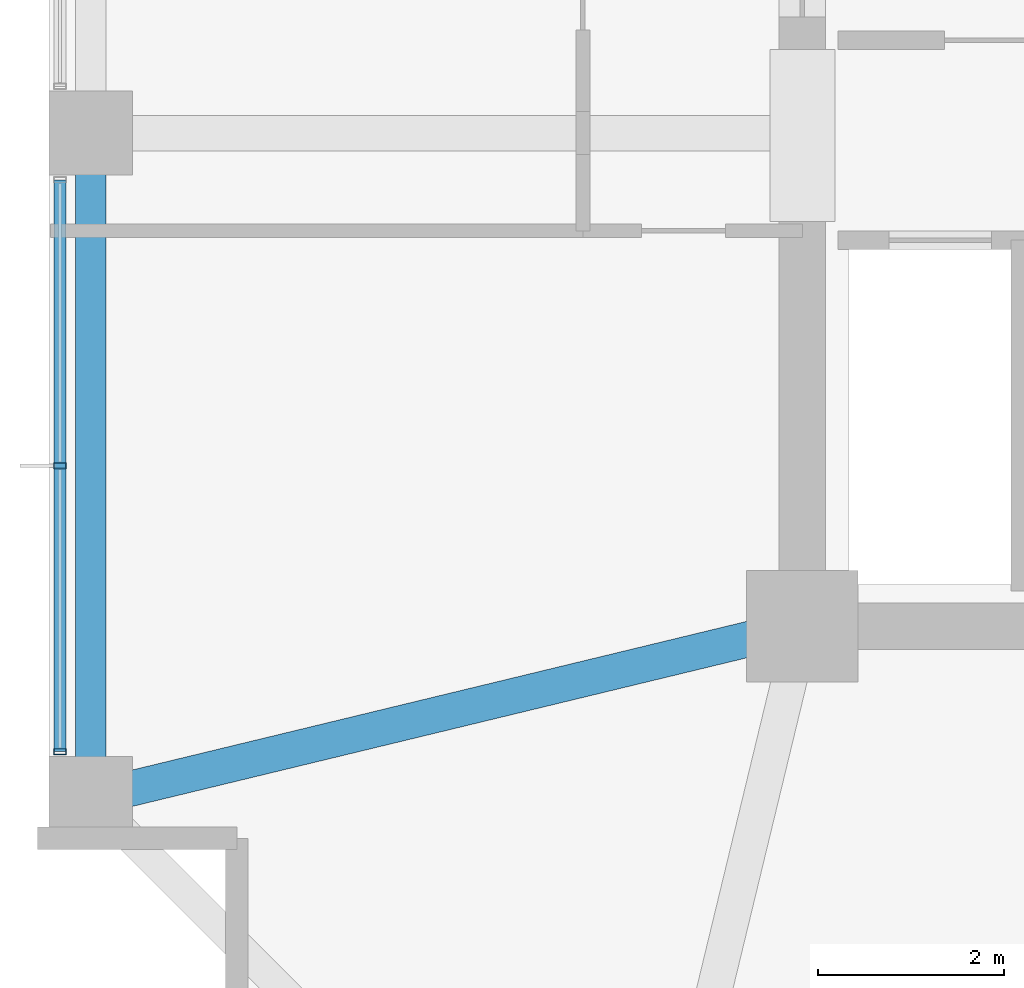
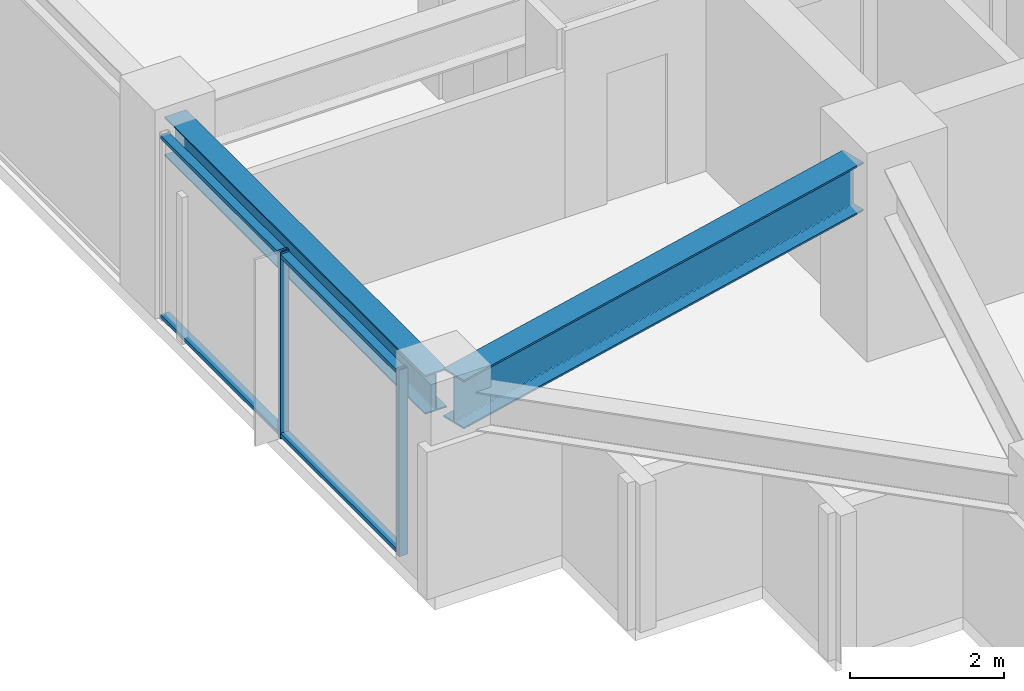
# One storey, part 4 of 31: 4 members, 2 beams, 1 element without a shape of its own.
"""IFC4 building model written with IfcOpenShell, lengths in metres."""

from ifc_helpers import new_model, si_unit, direction, frame, origin, origin_2d, place, context, subcontext, project, spatial, hollow_rectangle, i_section, extrude, material, material_profile, profile_set, type_object, element, aggregate, save


model = new_model("IFC4")

# Units and contexts
model_context = context("Model", 3, precision=1e-05, world=origin(), true_north=direction((0.0, 1.0)))
body_context = subcontext(model_context, "Body", "Model", "MODEL_VIEW")
ifc_project = project(units=[si_unit("LENGTHUNIT", "METRE"), si_unit("AREAUNIT", "SQUARE_METRE"), si_unit("VOLUMEUNIT", "CUBIC_METRE"), si_unit("PLANEANGLEUNIT", "RADIAN"), si_unit("MASSUNIT", "GRAM", prefix="KILO")], contexts=[model_context])

# Site, building, storey
site_placement = place(None, origin())
site = spatial("IfcSite", under=ifc_project, at=site_placement, CompositionType="ELEMENT")
building_placement = place(site_placement, origin())
building = spatial("IfcBuilding", under=site, at=building_placement, Name="Kolvaren Belvedere", CompositionType="ELEMENT")
storey_placement = place(building_placement, frame((0.0, 0.0, 144.800048828125)))
storey = spatial("IfcBuildingStorey", under=building, at=storey_placement, Name="L42", CompositionType="ELEMENT", Elevation=144.800048828125)

# Beams
ifc_material_1 = material(Name="Structural steel ASTM A992 Grade 50", Category="steel")
ifc_material_profile_1 = material_profile(ifc_material_1, i_section(OverallWidth=0.381103515625, OverallDepth=0.77294921875, WebThickness=0.0166015625, FlangeThickness=0.027099609375, FilletRadius=0.02392578125, at=origin_2d()), Name="W30X173")
ifc_profile_set_1 = profile_set([ifc_material_profile_1], Name="Structural steel ASTM A992 Grade 50")
beam_type_1 = type_object("IfcBeamType", Name="BM-GIRD-W30X173", PredefinedType="BEAM", material=ifc_profile_set_1)
beam_1_placement = place(storey_placement, frame((-10.4345703125, -10.029296875, 2.5634765625), z_axis=(-0.971980197119, -0.235062749937, 0.0), x_axis=(0.235062749937, -0.971980197119, 0.0)))
element("IfcBeam", 1, at=beam_1_placement, inside=storey, type_object=beam_type_1, Name="L42 Corner Core-to-Perimeter Girder CC1-W1", PredefinedType="BEAM", context=body_context, shape_type="SweptSolid", body=[
    extrude(i_section(OverallWidth=0.381103515625, OverallDepth=0.77294921875, WebThickness=0.0166015625, FlangeThickness=0.027099609375, FilletRadius=0.02392578125, at=origin_2d()), origin(), (0.0, 0.0, 1.0), 7.140625),
])
ifc_material_2 = material(Name="Structural steel ASTM A992 Grade 50", Category="steel")
ifc_material_profile_2 = material_profile(ifc_material_2, i_section(OverallWidth=0.324951171875, OverallDepth=0.615966796875, WebThickness=0.013916015625, FlangeThickness=0.021484375, FilletRadius=0.02001953125, at=origin_2d()), Name="W24X117")
ifc_profile_set_2 = profile_set([ifc_material_profile_2], Name="Structural steel ASTM A992 Grade 50")
beam_type_2 = type_object("IfcBeamType", Name="BM-SPAN-W24X117", PredefinedType="SPANDREL", material=ifc_profile_set_2)
beam_2_placement = place(storey_placement, frame((-17.550048828125, -4.802490234375, 2.641845703125), z_axis=(0.0, -1.0, 0.0), x_axis=(1.0, 0.0, 0.0)))
element("IfcBeam", 2, at=beam_2_placement, inside=storey, type_object=beam_type_2, Name="L42 Perimeter Spandrel W2-W1", PredefinedType="SPANDREL", context=body_context, shape_type="SweptSolid", body=[
    extrude(i_section(OverallWidth=0.324951171875, OverallDepth=0.615966796875, WebThickness=0.013916015625, FlangeThickness=0.021484375, FilletRadius=0.02001953125, at=origin_2d()), origin(), (0.0, 0.0, 1.0), 6.7451171875),
])

# Curtain wall, members
ifc_material_3 = material(Name="Anodised pale-metal aluminium AA 6063-T6", Category="aluminium")
curtain_wall_type = type_object("IfcCurtainWallType", Name="CW-Z3-WAIST", PredefinedType="NOTDEFINED", material=ifc_material_3)
curtain_wall_placement = place(storey_placement, origin())
curtain_wall = element("IfcCurtainWall", 3, at=curtain_wall_placement, inside=storey, type_object=curtain_wall_type, Name="L42 Unitised Curtain Wall FCW-L42-W-B1", PredefinedType="NOTDEFINED")
ifc_material_4 = material(Name="Anodised pale-metal aluminium AA 6063-T6", Category="aluminium")
ifc_material_profile_3 = material_profile(ifc_material_4, hollow_rectangle(XDim=0.06494140625, YDim=0.1298828125, WallThickness=0.00390625, at=origin_2d()), Name="ALU-MUL-130X65")
ifc_profile_set_3 = profile_set([ifc_material_profile_3], Name="Anodised pale-metal aluminium AA 6063-T6")
member_type_1 = type_object("IfcMemberType", Name="CW-MUL-130", PredefinedType="MULLION", material=ifc_profile_set_3)
member_1_placement = place(storey_placement, frame((-17.8798828125, -11.24755859375, 0.0), z_axis=(0.0, 0.0, 1.0), x_axis=(0.0, 1.0, 0.0)))
member_1 = element("IfcMember", 4, at=member_1_placement, type_object=member_type_1, Name="FCW-L42-W-B1 Unitised Mullion 1", PredefinedType="MULLION", context=body_context, shape_type="SweptSolid", body=[
    extrude(hollow_rectangle(XDim=0.06494140625, YDim=0.1298828125, WallThickness=0.00390625, at=origin_2d()), origin(), (0.0, 0.0, 1.0), 2.949951171875),
])
member_2_placement = place(storey_placement, frame((-17.8798828125, -8.175048828125, 0.0), z_axis=(0.0, 0.0, 1.0), x_axis=(0.0, 1.0, 0.0)))
member_2 = element("IfcMember", 5, at=member_2_placement, type_object=member_type_1, Name="FCW-L42-W-B1 Unitised Mullion 2", PredefinedType="MULLION", context=body_context, shape_type="SweptSolid", body=[
    extrude(hollow_rectangle(XDim=0.06494140625, YDim=0.1298828125, WallThickness=0.00390625, at=origin_2d()), origin(), (0.0, 0.0, 1.0), 2.949951171875),
])
ifc_material_5 = material(Name="Anodised pale-metal aluminium AA 6063-T6", Category="aluminium")
ifc_material_profile_4 = material_profile(ifc_material_5, hollow_rectangle(XDim=0.06005859375, YDim=0.1298828125, WallThickness=0.00390625, at=origin_2d()), Name="ALU-TRN-130X60")
ifc_profile_set_4 = profile_set([ifc_material_profile_4], Name="Anodised pale-metal aluminium AA 6063-T6")
member_type_2 = type_object("IfcMemberType", Name="CW-TRN-130", PredefinedType="USERDEFINED", material=ifc_profile_set_4)
member_3_placement = place(storey_placement, frame((-17.8798828125, -11.24755859375, 0.06005859375), z_axis=(0.0, 1.0, 0.0), x_axis=(0.0, 0.0, 1.0)))
member_3 = element("IfcMember", 6, at=member_3_placement, type_object=member_type_2, Name="FCW-L42-W-B1 Sill Transom", ObjectType="TRANSOM", PredefinedType="USERDEFINED", context=body_context, shape_type="SweptSolid", body=[
    extrude(hollow_rectangle(XDim=0.06005859375, YDim=0.1298828125, WallThickness=0.00390625, at=origin_2d()), origin(), (0.0, 0.0, 1.0), 6.14501953125),
])
member_4_placement = place(storey_placement, frame((-17.8798828125, -11.24755859375, 2.889892578125), z_axis=(0.0, 1.0, 0.0), x_axis=(0.0, 0.0, 1.0)))
member_4 = element("IfcMember", 7, at=member_4_placement, type_object=member_type_2, Name="FCW-L42-W-B1 Head Transom", ObjectType="TRANSOM", PredefinedType="USERDEFINED", context=body_context, shape_type="SweptSolid", body=[
    extrude(hollow_rectangle(XDim=0.06005859375, YDim=0.1298828125, WallThickness=0.00390625, at=origin_2d()), origin(), (0.0, 0.0, 1.0), 6.14501953125),
])
aggregate(curtain_wall, [member_1, member_2, member_3, member_4])

save(model, "model.ifc")
